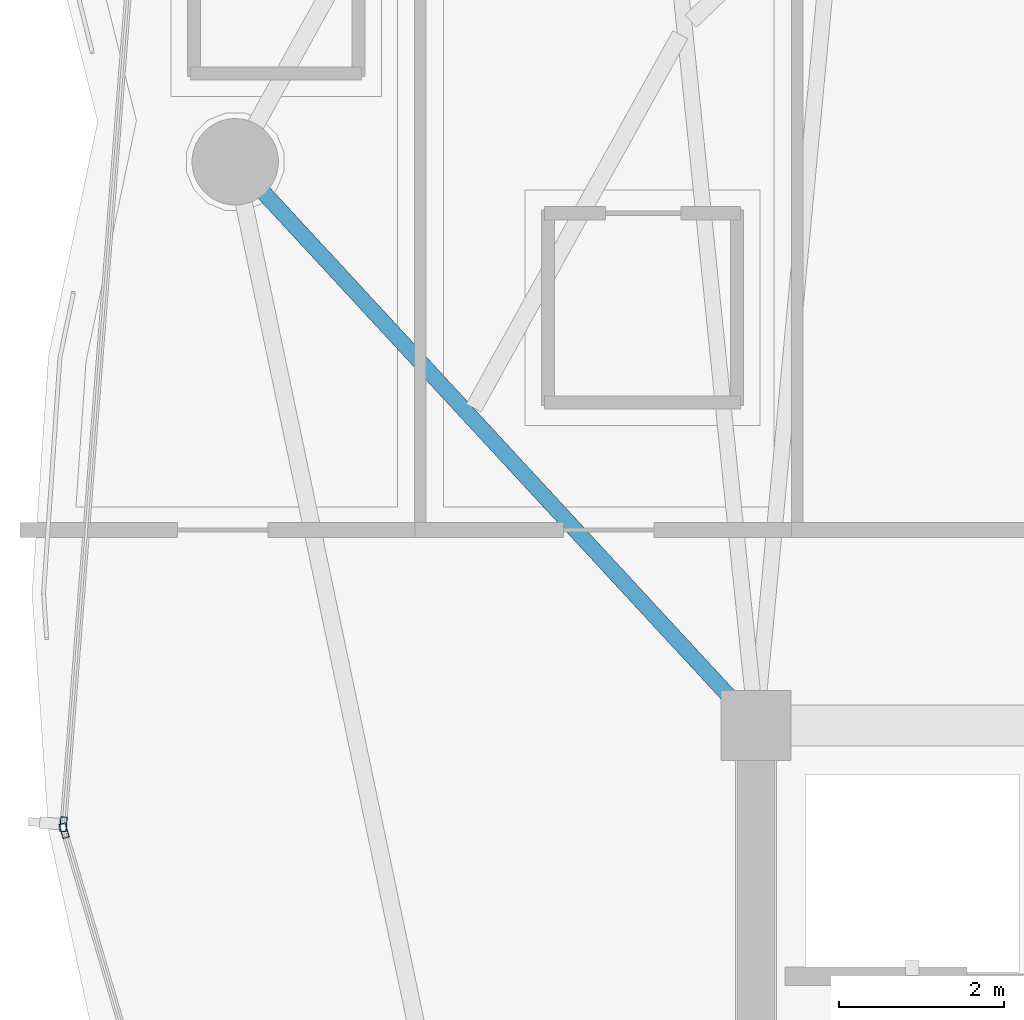
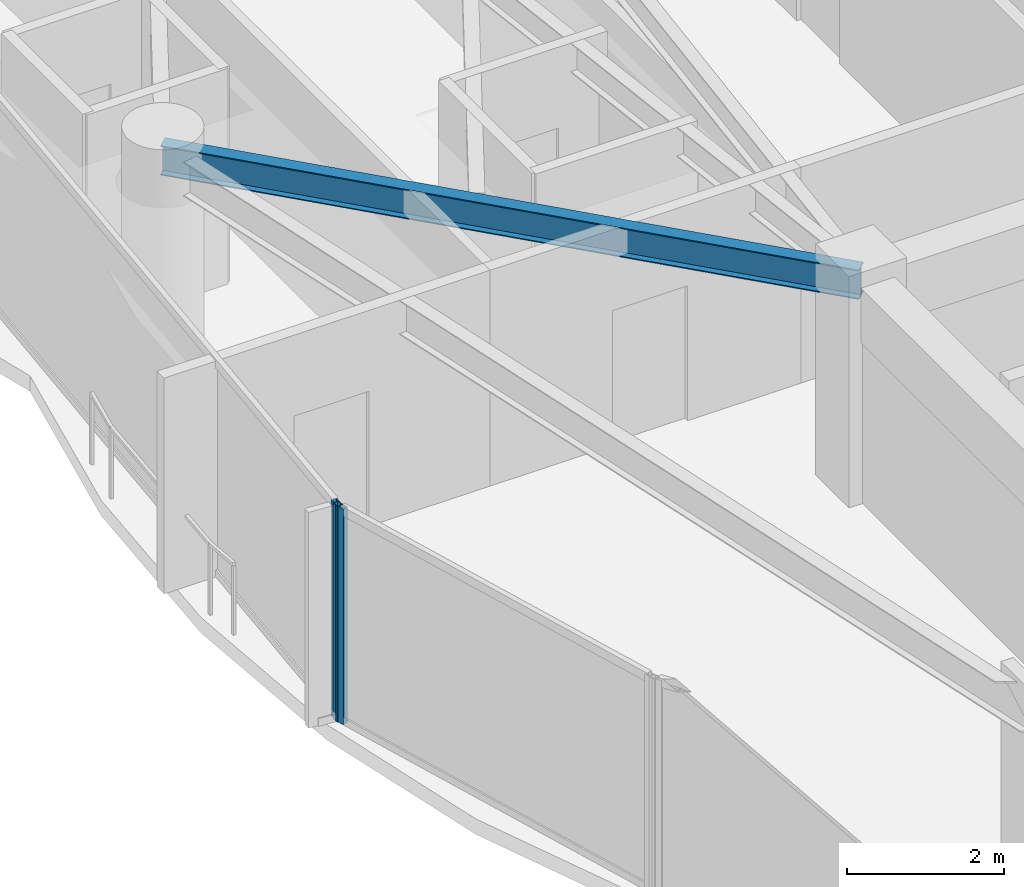
# One storey, part 8 of 31: 2 members, 1 beam, 2 elements without a shape of their own.
"""IFC4 building model written with IfcOpenShell, lengths in metres."""

from ifc_helpers import new_model, si_unit, direction, frame, origin, origin_2d, place, context, subcontext, project, spatial, hollow_rectangle, i_section, extrude, material, layer, layer_set, material_profile, profile_set, type_object, element, aggregate, save


model = new_model("IFC4")

# Units and contexts
model_context = context("Model", 3, precision=1e-05, world=origin(), true_north=direction((0.0, 1.0)))
body_context = subcontext(model_context, "Body", "Model", "MODEL_VIEW")
ifc_project = project(units=[si_unit("LENGTHUNIT", "METRE"), si_unit("AREAUNIT", "SQUARE_METRE"), si_unit("VOLUMEUNIT", "CUBIC_METRE"), si_unit("PLANEANGLEUNIT", "RADIAN"), si_unit("MASSUNIT", "GRAM", prefix="KILO")], contexts=[model_context])

# Site, building, storey
site_placement = place(None, origin())
site = spatial("IfcSite", under=ifc_project, at=site_placement, CompositionType="ELEMENT")
building_placement = place(site_placement, origin())
building = spatial("IfcBuilding", under=site, at=building_placement, Name="Kazevale Care Tower and Concert Hall", CompositionType="ELEMENT")
storey_placement = place(building_placement, frame((0.0, 0.0, 238.800048828125)))
storey = spatial("IfcBuildingStorey", under=building, at=storey_placement, Name="L63", CompositionType="ELEMENT", Elevation=238.800048828125)

# Curtain wall, member
ifc_material_1 = material(Name="Aluminium 6063-T6 and Low-E Glass", Category="aluminium")
ifc_layer = layer(ifc_material_1, 0.179931640625)
ifc_layer_set = layer_set([ifc_layer], Name="Aluminium 6063-T6 and Low-E Glass")
curtain_wall_type = type_object("IfcCurtainWallType", Name="Waist & Upper Residential Curtain Wall CW-4", PredefinedType="NOTDEFINED", material=ifc_layer_set)
curtain_wall_1_placement = place(storey_placement, origin())
curtain_wall_1 = element("IfcCurtainWall", 1, at=curtain_wall_1_placement, inside=storey, type_object=curtain_wall_type, Name="cw:L63:f12", PredefinedType="NOTDEFINED")
ifc_material_2 = material(Name="Aluminium 6063-T6", Category="aluminium")
ifc_material_profile_1 = material_profile(ifc_material_2, hollow_rectangle(XDim=0.080078125, YDim=0.179931640625, WallThickness=0.0048828125, at=origin_2d()), Name="ALU80x180x5")
ifc_profile_set_1 = profile_set([ifc_material_profile_1], Name="Aluminium 6063-T6")
member_type = type_object("IfcMemberType", Name="CW-4 Mullion ALU80x180x5", PredefinedType="MULLION", material=ifc_profile_set_1)
member_1_placement = place(storey_placement, frame((13.59033203125, 35.11865234375, 0.0), z_axis=(0.0, 0.0, 1.0), x_axis=(-0.959385539982, -0.282098184457, 0.0)))
member_1 = element("IfcMember", 2, at=member_1_placement, type_object=member_type, Name="CW-4 mullion 2", PredefinedType="MULLION", context=body_context, shape_type="SweptSolid", body=[
    extrude(hollow_rectangle(XDim=0.080078125, YDim=0.179931640625, WallThickness=0.0048828125, at=origin_2d()), origin(), (0.0, 0.0, 1.0), 3.35986328125),
])
aggregate(curtain_wall_1, [member_1])

curtain_wall_2_placement = place(storey_placement, origin())
curtain_wall_2 = element("IfcCurtainWall", 3, at=curtain_wall_2_placement, inside=storey, type_object=curtain_wall_type, Name="cw:L63:f13", PredefinedType="NOTDEFINED")
member_2_placement = place(storey_placement, frame((13.58203125, 35.19677734375, 0.0), z_axis=(0.0, 0.0, 1.0), x_axis=(-0.996989311372, 0.077539106325, 0.0)))
member_2 = element("IfcMember", 4, at=member_2_placement, type_object=member_type, Name="CW-4 mullion 1", PredefinedType="MULLION", context=body_context, shape_type="SweptSolid", body=[
    extrude(hollow_rectangle(XDim=0.080078125, YDim=0.179931640625, WallThickness=0.0048828125, at=origin_2d()), origin(), (0.0, 0.0, 1.0), 3.35986328125),
])
aggregate(curtain_wall_2, [member_2])

# Beam
ifc_material_3 = material(Name="Steel ASTM A572 Gr 50", Category="steel")
ifc_material_profile_2 = material_profile(ifc_material_3, i_section(OverallWidth=0.19091796875, OverallDepth=0.4599609375, WebThickness=0.010009765625, FlangeThickness=0.01611328125, at=origin_2d()), Name="W460x82")
ifc_profile_set_2 = profile_set([ifc_material_profile_2], Name="Steel ASTM A572 Gr 50")
beam_type = type_object("IfcBeamType", Name="Radial Floor Beam W460x82", PredefinedType="BEAM", material=ifc_profile_set_2)
beam_placement = place(storey_placement, frame((22.0, 36.39990234375, 3.1298828125), z_axis=(-0.678680078581, 0.734434034435, 0.0), x_axis=(-0.734434034435, -0.678680078581, 0.0)))
element("IfcBeam", 5, at=beam_placement, inside=storey, type_object=beam_type, Name="beam:L63:rad:09", PredefinedType="BEAM", context=body_context, shape_type="SweptSolid", body=[
    extrude(i_section(OverallWidth=0.19091796875, OverallDepth=0.4599609375, WebThickness=0.010009765625, FlangeThickness=0.01611328125, at=origin_2d()), origin(), (0.0, 0.0, 1.0), 9.3271484375),
])

save(model, "model.ifc")
